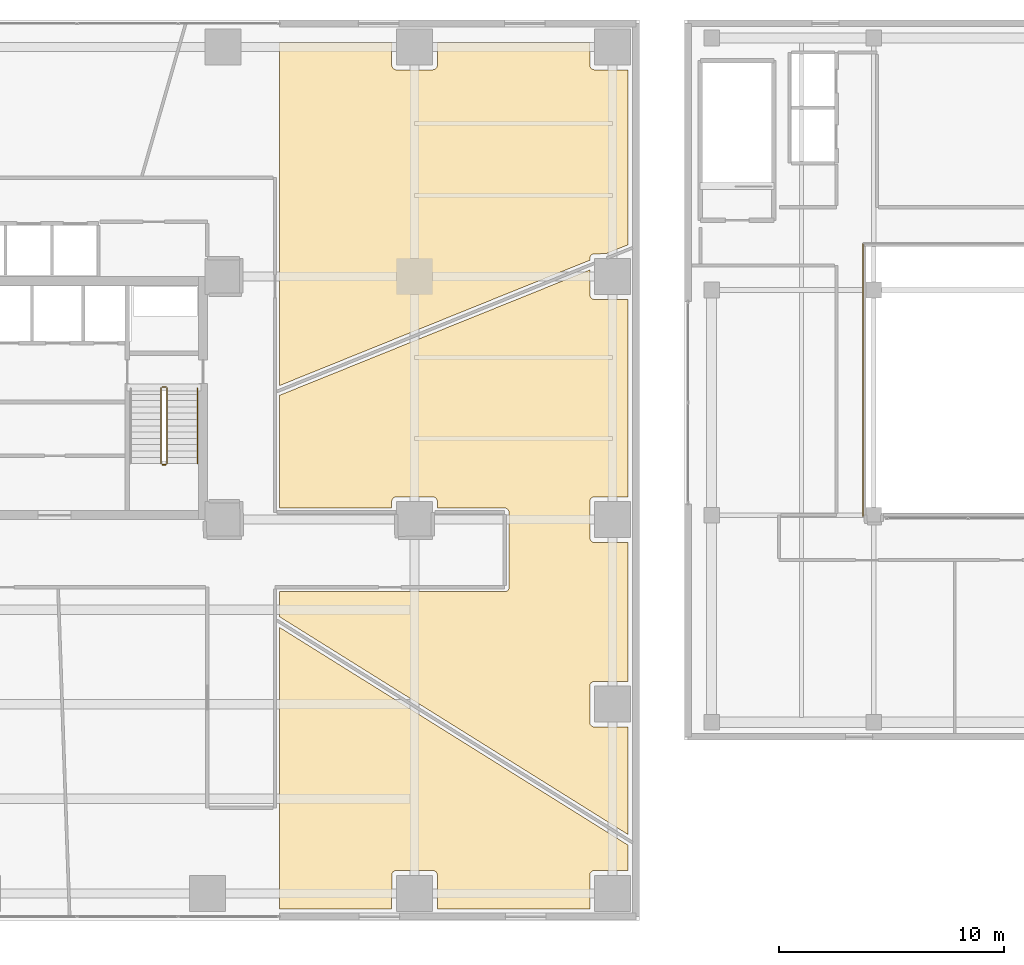
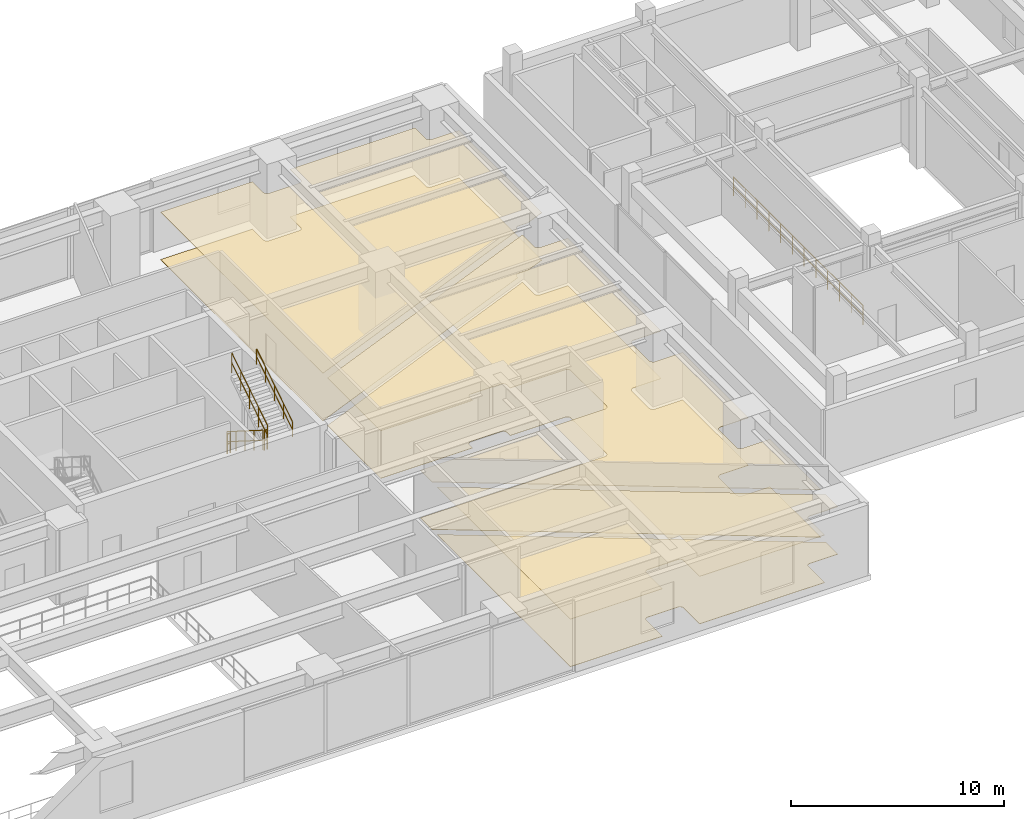
# One storey, part 24 of 25: 6 coverings, 6 railings.
"""IFC4 building model written with IfcOpenShell, lengths in metres."""

from ifc_helpers import new_model, si_unit, direction, frame, origin, origin_2d, place, context, subcontext, project, spatial, polyline, circle, outline, extrude, material, layer, layer_set, type_object, element, save


model = new_model("IFC4")

# Units and contexts
model_context = context("Model", 3, precision=1e-05, world=origin(), true_north=direction((0.0, 1.0)))
body_context = subcontext(model_context, "Body", "Model", "MODEL_VIEW")
ifc_project = project(units=[si_unit("LENGTHUNIT", "METRE"), si_unit("AREAUNIT", "SQUARE_METRE"), si_unit("VOLUMEUNIT", "CUBIC_METRE"), si_unit("PLANEANGLEUNIT", "RADIAN"), si_unit("MASSUNIT", "GRAM", prefix="KILO")], contexts=[model_context])

# Site, building, storey
site_placement = place(None, origin())
site = spatial("IfcSite", under=ifc_project, at=site_placement, CompositionType="ELEMENT")
building_placement = place(site_placement, origin())
building = spatial("IfcBuilding", under=site, at=building_placement, Name="Talar Marvaseh", CompositionType="ELEMENT")
storey_placement = place(building_placement, frame((0.0, 0.0, 14.39990234375)))
storey = spatial("IfcBuildingStorey", under=building, at=storey_placement, Name="L03", CompositionType="ELEMENT", Elevation=14.39990234375)

# Railings
ifc_material_1 = material(Name="Stainless Steel Grade 316", Category="steel")
railing_type_1 = type_object("IfcRailingType", Name="Brushed Stainless Wall Pitch Handrail 900", PredefinedType="HANDRAIL", material=ifc_material_1)
railing_1_placement = place(storey_placement, frame((32.35009765625, 28.2900390625, 2.47705078125)))
element("IfcRailing", 1, at=railing_1_placement, inside=storey, type_object=railing_type_1, Name="L03 ST-2 stair handrail 2", PredefinedType="HANDRAIL", context=body_context, shape_type="SweptSolid", body=[
    extrude(circle(Radius=0.02392578125, at=origin_2d()), frame((0.0, 0.0, 0.8759765625), z_axis=(0.0, 0.845372108799, 0.534177870812), x_axis=(-1.0, 0.0, 0.0)), (0.0, 0.0, 1.0), 3.974365234375),
    extrude(circle(Radius=0.02392578125, at=origin_2d()), frame((0.0, 0.0, 0.42578125), z_axis=(0.0, 0.845372108799, 0.534177870812), x_axis=(-1.0, 0.0, 0.0)), (0.0, 0.0, 1.0), 3.974365234375),
    extrude(circle(Radius=0.02099609375, at=origin_2d()), origin(), (0.0, 0.0, 1.0), 0.851806640625),
    extrude(circle(Radius=0.02099609375, at=origin_2d()), frame((0.0, 0.83984375, 0.53076171875)), (0.0, 0.0, 1.0), 0.851806640625),
    extrude(circle(Radius=0.02099609375, at=origin_2d()), frame((0.0, 1.679931640625, 1.0615234375)), (0.0, 0.0, 1.0), 0.851806640625),
    extrude(circle(Radius=0.02099609375, at=origin_2d()), frame((0.0, 2.52001953125, 1.59228515625)), (0.0, 0.0, 1.0), 0.851806640625),
    extrude(circle(Radius=0.02099609375, at=origin_2d()), frame((0.0, 3.35986328125, 2.123046875)), (0.0, 0.0, 1.0), 0.851806640625),
])
ifc_material_2 = material(Name="Tempered Clear Glass", Category="glass")
railing_type_2 = type_object("IfcRailingType", Name="Interior Atrium Edge Balustrade 1120", PredefinedType="BALUSTRADE", material=ifc_material_2)
railing_2_placement = place(storey_placement, frame((61.919921875, 38.080078125, 0.0)))
element("IfcRailing", 2, at=railing_2_placement, inside=storey, type_object=railing_type_2, Name="L03 Market Courtyard Void Balustrade 4", PredefinedType="BALUSTRADE", context=body_context, shape_type="SweptSolid", body=[
    extrude(circle(Radius=0.02392578125, at=origin_2d()), frame((0.0, 0.0, 1.09619140625), z_axis=(0.0, -1.0, 0.0), x_axis=(1.0, 0.0, 0.0)), (0.0, 0.0, 1.0), 12.16015625),
    extrude(circle(Radius=0.02392578125, at=origin_2d()), frame((0.0, 0.0, 0.5361328125), z_axis=(0.0, -1.0, 0.0), x_axis=(1.0, 0.0, 0.0)), (0.0, 0.0, 1.0), 12.16015625),
    extrude(circle(Radius=0.02099609375, at=origin_2d()), origin(), (0.0, 0.0, 1.0), 1.072021484375),
    extrude(circle(Radius=0.02099609375, at=origin_2d()), frame((0.0, -1.10546875, 0.0)), (0.0, 0.0, 1.0), 1.072021484375),
    extrude(circle(Radius=0.02099609375, at=origin_2d()), frame((0.0, -2.2109375, 0.0)), (0.0, 0.0, 1.0), 1.072021484375),
    extrude(circle(Radius=0.02099609375, at=origin_2d()), frame((0.0, -3.31640625, 0.0)), (0.0, 0.0, 1.0), 1.072021484375),
    extrude(circle(Radius=0.02099609375, at=origin_2d()), frame((0.0, -4.421875, 0.0)), (0.0, 0.0, 1.0), 1.072021484375),
    extrude(circle(Radius=0.02099609375, at=origin_2d()), frame((0.0, -5.52734375, 0.0)), (0.0, 0.0, 1.0), 1.072021484375),
    extrude(circle(Radius=0.02099609375, at=origin_2d()), frame((0.0, -6.6328125, 0.0)), (0.0, 0.0, 1.0), 1.072021484375),
    extrude(circle(Radius=0.02099609375, at=origin_2d()), frame((0.0, -7.73828125, 0.0)), (0.0, 0.0, 1.0), 1.072021484375),
    extrude(circle(Radius=0.02099609375, at=origin_2d()), frame((0.0, -8.84375, 0.0)), (0.0, 0.0, 1.0), 1.072021484375),
    extrude(circle(Radius=0.02099609375, at=origin_2d()), frame((0.0, -9.94921875, 0.0)), (0.0, 0.0, 1.0), 1.072021484375),
    extrude(circle(Radius=0.02099609375, at=origin_2d()), frame((0.0, -11.0546875, 0.0)), (0.0, 0.0, 1.0), 1.072021484375),
    extrude(circle(Radius=0.02099609375, at=origin_2d()), frame((0.0, -12.16015625, 0.0)), (0.0, 0.0, 1.0), 1.072021484375),
])
railing_type_3 = type_object("IfcRailingType", Name="Painted Steel Core Stair Well Guardrail 1150", PredefinedType="GUARDRAIL", material=ifc_material_1)
railing_3_placement = place(storey_placement, frame((30.739990234375, 31.64990234375, 0.177001953125)))
element("IfcRailing", 3, at=railing_3_placement, inside=storey, type_object=railing_type_3, Name="L03 ST-2 stair guard 1", PredefinedType="GUARDRAIL", context=body_context, shape_type="SweptSolid", body=[
    extrude(circle(Radius=0.02392578125, at=origin_2d()), frame((0.0, 0.0, 1.1259765625), z_axis=(0.0, -0.845372108799, 0.534177870812), x_axis=(1.0, 0.0, 0.0)), (0.0, 0.0, 1.0), 3.974365234375),
    extrude(circle(Radius=0.02392578125, at=origin_2d()), frame((0.0, 0.0, 0.55078125), z_axis=(0.0, -0.845372108799, 0.534177870812), x_axis=(1.0, 0.0, 0.0)), (0.0, 0.0, 1.0), 3.974365234375),
    extrude(circle(Radius=0.02099609375, at=origin_2d()), origin(), (0.0, 0.0, 1.0), 1.101806640625),
    extrude(circle(Radius=0.02099609375, at=origin_2d()), frame((0.0, -0.83984375, 0.53076171875)), (0.0, 0.0, 1.0), 1.101806640625),
    extrude(circle(Radius=0.02099609375, at=origin_2d()), frame((0.0, -1.679931640625, 1.0615234375)), (0.0, 0.0, 1.0), 1.101806640625),
    extrude(circle(Radius=0.02099609375, at=origin_2d()), frame((0.0, -2.52001953125, 1.59228515625)), (0.0, 0.0, 1.0), 1.101806640625),
    extrude(circle(Radius=0.02099609375, at=origin_2d()), frame((0.0, -3.35986328125, 2.123046875)), (0.0, 0.0, 1.0), 1.101806640625),
])
railing_4_placement = place(storey_placement, frame((30.7900390625, 28.239990234375, 2.300048828125)))
element("IfcRailing", 4, at=railing_4_placement, inside=storey, type_object=railing_type_3, Name="L03 ST-2 stair guard 2", PredefinedType="GUARDRAIL", context=body_context, shape_type="SweptSolid", body=[
    extrude(circle(Radius=0.02392578125, at=origin_2d()), frame((0.0, 0.0, 1.1259765625), z_axis=(1.0, 0.0, 0.0), x_axis=(0.0, 1.0, 0.0)), (0.0, 0.0, 1.0), 0.159912109375),
    extrude(circle(Radius=0.02392578125, at=origin_2d()), frame((0.0, 0.0, 0.55078125), z_axis=(1.0, 0.0, 0.0), x_axis=(0.0, 1.0, 0.0)), (0.0, 0.0, 1.0), 0.159912109375),
    extrude(circle(Radius=0.02099609375, at=origin_2d()), origin(), (0.0, 0.0, 1.0), 1.101806640625),
    extrude(circle(Radius=0.02099609375, at=origin_2d()), frame((0.159912109375, 0.0, 0.0)), (0.0, 0.0, 1.0), 1.101806640625),
])
railing_5_placement = place(storey_placement, frame((31.0, 28.2900390625, 2.47705078125)))
element("IfcRailing", 5, at=railing_5_placement, inside=storey, type_object=railing_type_3, Name="L03 ST-2 stair guard 3", PredefinedType="GUARDRAIL", context=body_context, shape_type="SweptSolid", body=[
    extrude(circle(Radius=0.02392578125, at=origin_2d()), frame((0.0, 0.0, 1.1259765625), z_axis=(0.0, 0.845372108799, 0.534177870812), x_axis=(-1.0, 0.0, 0.0)), (0.0, 0.0, 1.0), 3.974365234375),
    extrude(circle(Radius=0.02392578125, at=origin_2d()), frame((0.0, 0.0, 0.55078125), z_axis=(0.0, 0.845372108799, 0.534177870812), x_axis=(-1.0, 0.0, 0.0)), (0.0, 0.0, 1.0), 3.974365234375),
    extrude(circle(Radius=0.02099609375, at=origin_2d()), origin(), (0.0, 0.0, 1.0), 1.101806640625),
    extrude(circle(Radius=0.02099609375, at=origin_2d()), frame((0.0, 0.83984375, 0.53076171875)), (0.0, 0.0, 1.0), 1.101806640625),
    extrude(circle(Radius=0.02099609375, at=origin_2d()), frame((0.0, 1.679931640625, 1.0615234375)), (0.0, 0.0, 1.0), 1.101806640625),
    extrude(circle(Radius=0.02099609375, at=origin_2d()), frame((0.0, 2.52001953125, 1.59228515625)), (0.0, 0.0, 1.0), 1.101806640625),
    extrude(circle(Radius=0.02099609375, at=origin_2d()), frame((0.0, 3.35986328125, 2.123046875)), (0.0, 0.0, 1.0), 1.101806640625),
])
railing_6_placement = place(storey_placement, frame((30.7900390625, 31.699951171875, 0.0)))
element("IfcRailing", 6, at=railing_6_placement, inside=storey, type_object=railing_type_3, Name="L03 ST-2 stair guard 4", PredefinedType="GUARDRAIL", context=body_context, shape_type="SweptSolid", body=[
    extrude(circle(Radius=0.02392578125, at=origin_2d()), frame((0.0, 0.0, 1.1259765625), z_axis=(1.0, 0.0, 0.0), x_axis=(0.0, 1.0, 0.0)), (0.0, 0.0, 1.0), 0.159912109375),
    extrude(circle(Radius=0.02392578125, at=origin_2d()), frame((0.0, 0.0, 0.55078125), z_axis=(1.0, 0.0, 0.0), x_axis=(0.0, 1.0, 0.0)), (0.0, 0.0, 1.0), 0.159912109375),
    extrude(circle(Radius=0.02099609375, at=origin_2d()), origin(), (0.0, 0.0, 1.0), 1.101806640625),
    extrude(circle(Radius=0.02099609375, at=origin_2d()), frame((0.159912109375, 0.0, 0.0)), (0.0, 0.0, 1.0), 1.101806640625),
])

# Coverings
ifc_material_3 = material(Name="Mineral Fibre Acoustic Ceiling")
ifc_layer_1 = layer(ifc_material_3, 0.02490234375)
ifc_layer_set_1 = layer_set([ifc_layer_1], Name="Mineral Fibre Acoustic Ceiling")
covering_type_1 = type_object("IfcCoveringType", Name="Perforated Mineral Fibre Acoustic Suspended Ceiling", PredefinedType="CEILING", material=ifc_layer_set_1)
covering_1_placement = place(storey_placement, frame((0.0, 0.0, 2.72021484375)))
element("IfcCovering", 7, at=covering_1_placement, inside=storey, type_object=covering_type_1, Name="L03 Architectural Models Gallery Acoustic Ceiling", PredefinedType="CEILING", context=body_context, shape_type="SweptSolid", body=[
    extrude(outline(polyline([(51.489990234375, 11.336181640625), (51.489990234375, 10.210693359375), (49.989501953125, 10.210693359375), (49.9697265625, 10.209716796875), (49.950439453125, 10.206787109375), (49.931396484375, 10.201904296875), (49.912841796875, 10.1953125), (49.89501953125, 10.18701171875), (49.87841796875, 10.177001953125), (49.862548828125, 10.165283203125), (49.847900390625, 10.152099609375), (49.834716796875, 10.137451171875), (49.822998046875, 10.12158203125), (49.81298828125, 10.10498046875), (49.8046875, 10.087158203125), (49.798095703125, 10.068603515625), (49.793212890625, 10.049560546875), (49.790283203125, 10.0302734375), (49.789306640625, 10.010498046875), (49.789306640625, 8.510009765625), (43.010498046875, 8.510009765625), (43.010498046875, 10.010498046875), (43.009521484375, 10.0302734375), (43.0068359375, 10.049560546875), (43.001953125, 10.068603515625), (42.995361328125, 10.087158203125), (42.987060546875, 10.10498046875), (42.976806640625, 10.12158203125), (42.965087890625, 10.137451171875), (42.951904296875, 10.152099609375), (42.9375, 10.165283203125), (42.921630859375, 10.177001953125), (42.90478515625, 10.18701171875), (42.88720703125, 10.1953125), (42.86865234375, 10.201904296875), (42.849609375, 10.206787109375), (42.830078125, 10.209716796875), (42.810546875, 10.210693359375), (41.189453125, 10.210693359375), (41.169921875, 10.209716796875), (41.150390625, 10.206787109375), (41.13134765625, 10.201904296875), (41.113037109375, 10.1953125), (41.09521484375, 10.18701171875), (41.07861328125, 10.177001953125), (41.062744140625, 10.165283203125), (41.048095703125, 10.152099609375), (41.034912109375, 10.1376953125), (41.023193359375, 10.1220703125), (41.01318359375, 10.105224609375), (41.0048828125, 10.08740234375), (40.998046875, 10.069091796875), (40.993408203125, 10.050048828125), (40.990478515625, 10.03076171875), (40.989501953125, 10.010986328125), (40.9853515625, 8.510009765625), (36.0, 8.510009765625), (36.0, 13.0), (36.0, 21.015380859375), (51.489990234375, 11.336181640625)])), origin(), (0.0, 0.0, 1.0), 0.02490234375),
])
covering_2_placement = place(storey_placement, frame((0.0, 0.0, 2.72021484375)))
element("IfcCovering", 8, at=covering_2_placement, inside=storey, type_object=covering_type_1, Name="L03 Projection and Sound Control Room Acoustic Ceiling", PredefinedType="CEILING", context=body_context, shape_type="SweptSolid", body=[
    extrude(outline(polyline([(46.0, 22.60009765625), (46.01953125, 22.60107421875), (46.0390625, 22.603759765625), (46.05810546875, 22.608642578125), (46.076416015625, 22.615234375), (46.09423828125, 22.62353515625), (46.111083984375, 22.6337890625), (46.126953125, 22.6455078125), (46.141357421875, 22.65869140625), (46.154541015625, 22.673095703125), (46.166259765625, 22.68896484375), (46.176513671875, 22.705810546875), (46.184814453125, 22.723388671875), (46.19140625, 22.741943359375), (46.1962890625, 22.760986328125), (46.198974609375, 22.780517578125), (46.199951171875, 22.800048828125), (46.199951171875, 26.1201171875), (46.198974609375, 26.1396484375), (46.1962890625, 26.158935546875), (46.19140625, 26.177978515625), (46.184814453125, 26.196533203125), (46.176513671875, 26.21435546875), (46.166259765625, 26.231201171875), (46.154541015625, 26.246826171875), (46.141357421875, 26.261474609375), (46.126953125, 26.274658203125), (46.111083984375, 26.286376953125), (46.09423828125, 26.29638671875), (46.076416015625, 26.3046875), (46.05810546875, 26.311279296875), (46.0390625, 26.316162109375), (46.01953125, 26.319091796875), (46.0, 26.320068359375), (43.014892578125, 26.320068359375), (43.014892578125, 26.60009765625), (43.013916015625, 26.61962890625), (43.01123046875, 26.638916015625), (43.00634765625, 26.658203125), (42.999755859375, 26.676513671875), (42.991455078125, 26.6943359375), (42.981201171875, 26.711181640625), (42.969482421875, 26.726806640625), (42.956298828125, 26.741455078125), (42.94140625, 26.75634765625), (42.927001953125, 26.76953125), (42.9111328125, 26.78125), (42.894287109375, 26.79150390625), (42.87646484375, 26.7998046875), (42.85791015625, 26.806396484375), (42.839111328125, 26.811279296875), (42.819580078125, 26.81396484375), (42.7998046875, 26.81494140625), (41.195556640625, 26.814453125), (41.1767578125, 26.8134765625), (41.158203125, 26.810791015625), (41.14013671875, 26.806396484375), (41.122314453125, 26.800537109375), (41.105224609375, 26.79296875), (41.089111328125, 26.78369140625), (41.07373046875, 26.77294921875), (41.059326171875, 26.760986328125), (41.04638671875, 26.74755859375), (41.034423828125, 26.73291015625), (41.02392578125, 26.718505859375), (41.01220703125, 26.700927734375), (41.002685546875, 26.68212890625), (40.9951171875, 26.662353515625), (40.989501953125, 26.64208984375), (40.986083984375, 26.62109375), (40.985107421875, 26.60009765625), (40.985107421875, 26.320068359375), (36.0, 26.320068359375), (36.0, 31.32470703125), (49.784912109375, 36.89404296875), (49.784912109375, 35.800048828125), (49.785888671875, 35.7822265625), (49.7880859375, 35.764892578125), (49.7919921875, 35.74755859375), (49.79736328125, 35.730712890625), (49.80419921875, 35.71435546875), (49.809814453125, 35.70263671875), (49.819580078125, 35.684814453125), (49.8310546875, 35.667724609375), (49.84423828125, 35.652099609375), (49.85888671875, 35.6376953125), (49.875, 35.625244140625), (49.89208984375, 35.6142578125), (49.91064453125, 35.60498046875), (49.9296875, 35.597900390625), (49.949462890625, 35.592529296875), (49.9697265625, 35.589599609375), (49.990234375, 35.58837890625), (51.489990234375, 35.586181640625), (51.489990234375, 26.810546875), (49.989501953125, 26.810546875), (49.9697265625, 26.8095703125), (49.950439453125, 26.806884765625), (49.931396484375, 26.802001953125), (49.9130859375, 26.79541015625), (49.895263671875, 26.787109375), (49.87841796875, 26.777099609375), (49.86279296875, 26.765380859375), (49.84814453125, 26.752197265625), (49.8349609375, 26.73779296875), (49.8232421875, 26.721923828125), (49.813232421875, 26.705078125), (49.8046875, 26.6875), (49.798095703125, 26.669189453125), (49.793212890625, 26.650146484375), (49.790283203125, 26.630615234375), (49.789306640625, 26.611083984375), (49.78515625, 24.9990234375), (49.785888671875, 24.98046875), (49.78857421875, 24.9619140625), (49.792724609375, 24.94384765625), (49.798583984375, 24.92626953125), (49.80615234375, 24.9091796875), (49.815185546875, 24.89306640625), (49.82568359375, 24.877685546875), (49.837646484375, 24.86328125), (49.850830078125, 24.850341796875), (49.86572265625, 24.8369140625), (49.8798828125, 24.824951171875), (49.895263671875, 24.814697265625), (49.911376953125, 24.8056640625), (49.92822265625, 24.79833984375), (49.94580078125, 24.79248046875), (49.9638671875, 24.788330078125), (49.982177734375, 24.785888671875), (50.00048828125, 24.784912109375), (51.489990234375, 24.7890625), (51.489990234375, 18.610595703125), (49.989501953125, 18.610595703125), (49.9697265625, 18.609619140625), (49.950439453125, 18.606689453125), (49.931396484375, 18.60205078125), (49.9130859375, 18.595458984375), (49.895263671875, 18.587158203125), (49.87841796875, 18.576904296875), (49.86279296875, 18.5654296875), (49.84814453125, 18.55224609375), (49.8349609375, 18.53759765625), (49.8232421875, 18.52197265625), (49.813232421875, 18.505126953125), (49.8046875, 18.487548828125), (49.798095703125, 18.468994140625), (49.793212890625, 18.4501953125), (49.790283203125, 18.4306640625), (49.789306640625, 18.4111328125), (49.78515625, 16.799072265625), (49.785888671875, 16.780517578125), (49.78857421875, 16.761962890625), (49.792724609375, 16.743896484375), (49.798583984375, 16.726318359375), (49.80615234375, 16.709228515625), (49.815185546875, 16.693115234375), (49.82568359375, 16.677734375), (49.837646484375, 16.663330078125), (49.850830078125, 16.650390625), (49.86572265625, 16.63671875), (49.8798828125, 16.625), (49.895263671875, 16.614501953125), (49.911376953125, 16.605712890625), (49.92822265625, 16.598388671875), (49.94580078125, 16.592529296875), (49.9638671875, 16.58837890625), (49.982177734375, 16.585693359375), (50.00048828125, 16.5849609375), (51.489990234375, 16.589111328125), (51.489990234375, 11.807861328125), (36.0, 21.4873046875), (36.0, 22.60009765625), (46.0, 22.60009765625)])), origin(), (0.0, 0.0, 1.0), 0.02490234375),
])
covering_3_placement = place(storey_placement, frame((0.0, 0.0, 2.72021484375)))
element("IfcCovering", 9, at=covering_3_placement, inside=storey, type_object=covering_type_1, Name="L03 Conservation Framing Workshop Acoustic Ceiling", PredefinedType="CEILING", context=body_context, shape_type="SweptSolid", body=[
    extrude(outline(polyline([(40.98583984375, 45.98046875), (40.988525390625, 45.9619140625), (40.99267578125, 45.94384765625), (40.99853515625, 45.92626953125), (41.006103515625, 45.9091796875), (41.01513671875, 45.89306640625), (41.025634765625, 45.877685546875), (41.03759765625, 45.86328125), (41.05078125, 45.850341796875), (41.065673828125, 45.8369140625), (41.080078125, 45.824951171875), (41.09521484375, 45.814697265625), (41.111328125, 45.8056640625), (41.12841796875, 45.79833984375), (41.145751953125, 45.79248046875), (41.163818359375, 45.788330078125), (41.18212890625, 45.785888671875), (41.200439453125, 45.784912109375), (42.81103515625, 45.789306640625), (42.830810546875, 45.790283203125), (42.85009765625, 45.793212890625), (42.869140625, 45.798095703125), (42.887451171875, 45.8046875), (42.9052734375, 45.813232421875), (42.922119140625, 45.8232421875), (42.937744140625, 45.8349609375), (42.9521484375, 45.84814453125), (42.96533203125, 45.86279296875), (42.97705078125, 45.87841796875), (42.987060546875, 45.895263671875), (42.995361328125, 45.9130859375), (43.001953125, 45.931396484375), (43.0068359375, 45.950439453125), (43.009521484375, 45.9697265625), (43.010498046875, 45.989501953125), (43.010498046875, 47.0), (49.789306640625, 47.0), (49.789306640625, 45.989501953125), (49.790283203125, 45.9697265625), (49.793212890625, 45.950439453125), (49.798095703125, 45.931396484375), (49.8046875, 45.9130859375), (49.81298828125, 45.895263671875), (49.822998046875, 45.87841796875), (49.834716796875, 45.86279296875), (49.847900390625, 45.84814453125), (49.8623046875, 45.8349609375), (49.8779296875, 45.8232421875), (49.894775390625, 45.813232421875), (49.91259765625, 45.8046875), (49.930908203125, 45.798095703125), (49.949951171875, 45.793212890625), (49.96923828125, 45.790283203125), (49.989013671875, 45.789306640625), (51.489990234375, 45.785400390625), (51.489990234375, 38.014404296875), (50.50146484375, 37.614990234375), (49.993896484375, 37.614013671875), (49.974365234375, 37.61279296875), (49.955078125, 37.610107421875), (49.93603515625, 37.605224609375), (49.91748046875, 37.5986328125), (49.89990234375, 37.590087890625), (49.883056640625, 37.580078125), (49.867431640625, 37.568603515625), (49.852783203125, 37.555419921875), (49.839599609375, 37.540771484375), (49.828125, 37.525146484375), (49.81884765625, 37.51123046875), (49.80859375, 37.494384765625), (49.80029296875, 37.4765625), (49.793701171875, 37.4580078125), (49.788818359375, 37.439208984375), (49.785888671875, 37.419677734375), (49.784912109375, 37.39990234375), (49.784912109375, 37.325439453125), (36.0, 31.756103515625), (36.0, 41.0), (36.0, 47.0), (40.98779296875, 47.0), (40.985107421875, 45.9990234375), (40.98583984375, 45.98046875)])), origin(), (0.0, 0.0, 1.0), 0.02490234375),
])
ifc_material_4 = material(Name="Porcelain Stoneware Tile", Category="masonry")
ifc_layer_2 = layer(ifc_material_4, 0.02001953125)
ifc_layer_set_2 = layer_set([ifc_layer_2], Name="Porcelain Stoneware Tile")
covering_type_2 = type_object("IfcCoveringType", Name="Polished Porcelain Stoneware Gallery Flooring", PredefinedType="FLOORING", material=ifc_layer_set_2)
covering_4_placement = place(storey_placement, origin())
element("IfcCovering", 10, at=covering_4_placement, inside=storey, type_object=covering_type_2, Name="L03 Architectural Models Gallery Flooring", PredefinedType="FLOORING", context=body_context, shape_type="SweptSolid", body=[
    extrude(outline(polyline([(51.489990234375, 11.336181640625), (51.489990234375, 10.210693359375), (49.989501953125, 10.210693359375), (49.9697265625, 10.209716796875), (49.950439453125, 10.206787109375), (49.931396484375, 10.201904296875), (49.912841796875, 10.1953125), (49.89501953125, 10.18701171875), (49.87841796875, 10.177001953125), (49.862548828125, 10.165283203125), (49.847900390625, 10.152099609375), (49.834716796875, 10.137451171875), (49.822998046875, 10.12158203125), (49.81298828125, 10.10498046875), (49.8046875, 10.087158203125), (49.798095703125, 10.068603515625), (49.793212890625, 10.049560546875), (49.790283203125, 10.0302734375), (49.789306640625, 10.010498046875), (49.789306640625, 8.510009765625), (43.010498046875, 8.510009765625), (43.010498046875, 10.010498046875), (43.009521484375, 10.0302734375), (43.0068359375, 10.049560546875), (43.001953125, 10.068603515625), (42.995361328125, 10.087158203125), (42.987060546875, 10.10498046875), (42.976806640625, 10.12158203125), (42.965087890625, 10.137451171875), (42.951904296875, 10.152099609375), (42.9375, 10.165283203125), (42.921630859375, 10.177001953125), (42.90478515625, 10.18701171875), (42.88720703125, 10.1953125), (42.86865234375, 10.201904296875), (42.849609375, 10.206787109375), (42.830078125, 10.209716796875), (42.810546875, 10.210693359375), (41.189453125, 10.210693359375), (41.169921875, 10.209716796875), (41.150390625, 10.206787109375), (41.13134765625, 10.201904296875), (41.113037109375, 10.1953125), (41.09521484375, 10.18701171875), (41.07861328125, 10.177001953125), (41.062744140625, 10.165283203125), (41.048095703125, 10.152099609375), (41.034912109375, 10.1376953125), (41.023193359375, 10.1220703125), (41.01318359375, 10.105224609375), (41.0048828125, 10.08740234375), (40.998046875, 10.069091796875), (40.993408203125, 10.050048828125), (40.990478515625, 10.03076171875), (40.989501953125, 10.010986328125), (40.9853515625, 8.510009765625), (36.0, 8.510009765625), (36.0, 13.0), (36.0, 21.015380859375), (51.489990234375, 11.336181640625)])), origin(), (0.0, 0.0, 1.0), 0.02001953125),
])
covering_5_placement = place(storey_placement, origin())
element("IfcCovering", 11, at=covering_5_placement, inside=storey, type_object=covering_type_2, Name="L03 Projection and Sound Control Room Flooring", PredefinedType="FLOORING", context=body_context, shape_type="SweptSolid", body=[
    extrude(outline(polyline([(46.0, 22.60009765625), (46.01953125, 22.60107421875), (46.0390625, 22.603759765625), (46.05810546875, 22.608642578125), (46.076416015625, 22.615234375), (46.09423828125, 22.62353515625), (46.111083984375, 22.6337890625), (46.126953125, 22.6455078125), (46.141357421875, 22.65869140625), (46.154541015625, 22.673095703125), (46.166259765625, 22.68896484375), (46.176513671875, 22.705810546875), (46.184814453125, 22.723388671875), (46.19140625, 22.741943359375), (46.1962890625, 22.760986328125), (46.198974609375, 22.780517578125), (46.199951171875, 22.800048828125), (46.199951171875, 26.1201171875), (46.198974609375, 26.1396484375), (46.1962890625, 26.158935546875), (46.19140625, 26.177978515625), (46.184814453125, 26.196533203125), (46.176513671875, 26.21435546875), (46.166259765625, 26.231201171875), (46.154541015625, 26.246826171875), (46.141357421875, 26.261474609375), (46.126953125, 26.274658203125), (46.111083984375, 26.286376953125), (46.09423828125, 26.29638671875), (46.076416015625, 26.3046875), (46.05810546875, 26.311279296875), (46.0390625, 26.316162109375), (46.01953125, 26.319091796875), (46.0, 26.320068359375), (43.014892578125, 26.320068359375), (43.014892578125, 26.60009765625), (43.013916015625, 26.61962890625), (43.01123046875, 26.638916015625), (43.00634765625, 26.658203125), (42.999755859375, 26.676513671875), (42.991455078125, 26.6943359375), (42.981201171875, 26.711181640625), (42.969482421875, 26.726806640625), (42.956298828125, 26.741455078125), (42.94140625, 26.75634765625), (42.927001953125, 26.76953125), (42.9111328125, 26.78125), (42.894287109375, 26.79150390625), (42.87646484375, 26.7998046875), (42.85791015625, 26.806396484375), (42.839111328125, 26.811279296875), (42.819580078125, 26.81396484375), (42.7998046875, 26.81494140625), (41.195556640625, 26.814453125), (41.1767578125, 26.8134765625), (41.158203125, 26.810791015625), (41.14013671875, 26.806396484375), (41.122314453125, 26.800537109375), (41.105224609375, 26.79296875), (41.089111328125, 26.78369140625), (41.07373046875, 26.77294921875), (41.059326171875, 26.760986328125), (41.04638671875, 26.74755859375), (41.034423828125, 26.73291015625), (41.02392578125, 26.718505859375), (41.01220703125, 26.700927734375), (41.002685546875, 26.68212890625), (40.9951171875, 26.662353515625), (40.989501953125, 26.64208984375), (40.986083984375, 26.62109375), (40.985107421875, 26.60009765625), (40.985107421875, 26.320068359375), (36.0, 26.320068359375), (36.0, 31.32470703125), (49.784912109375, 36.89404296875), (49.784912109375, 35.800048828125), (49.785888671875, 35.7822265625), (49.7880859375, 35.764892578125), (49.7919921875, 35.74755859375), (49.79736328125, 35.730712890625), (49.80419921875, 35.71435546875), (49.809814453125, 35.70263671875), (49.819580078125, 35.684814453125), (49.8310546875, 35.667724609375), (49.84423828125, 35.652099609375), (49.85888671875, 35.6376953125), (49.875, 35.625244140625), (49.89208984375, 35.6142578125), (49.91064453125, 35.60498046875), (49.9296875, 35.597900390625), (49.949462890625, 35.592529296875), (49.9697265625, 35.589599609375), (49.990234375, 35.58837890625), (51.489990234375, 35.586181640625), (51.489990234375, 26.810546875), (49.989501953125, 26.810546875), (49.9697265625, 26.8095703125), (49.950439453125, 26.806884765625), (49.931396484375, 26.802001953125), (49.9130859375, 26.79541015625), (49.895263671875, 26.787109375), (49.87841796875, 26.777099609375), (49.86279296875, 26.765380859375), (49.84814453125, 26.752197265625), (49.8349609375, 26.73779296875), (49.8232421875, 26.721923828125), (49.813232421875, 26.705078125), (49.8046875, 26.6875), (49.798095703125, 26.669189453125), (49.793212890625, 26.650146484375), (49.790283203125, 26.630615234375), (49.789306640625, 26.611083984375), (49.78515625, 24.9990234375), (49.785888671875, 24.98046875), (49.78857421875, 24.9619140625), (49.792724609375, 24.94384765625), (49.798583984375, 24.92626953125), (49.80615234375, 24.9091796875), (49.815185546875, 24.89306640625), (49.82568359375, 24.877685546875), (49.837646484375, 24.86328125), (49.850830078125, 24.850341796875), (49.86572265625, 24.8369140625), (49.8798828125, 24.824951171875), (49.895263671875, 24.814697265625), (49.911376953125, 24.8056640625), (49.92822265625, 24.79833984375), (49.94580078125, 24.79248046875), (49.9638671875, 24.788330078125), (49.982177734375, 24.785888671875), (50.00048828125, 24.784912109375), (51.489990234375, 24.7890625), (51.489990234375, 18.610595703125), (49.989501953125, 18.610595703125), (49.9697265625, 18.609619140625), (49.950439453125, 18.606689453125), (49.931396484375, 18.60205078125), (49.9130859375, 18.595458984375), (49.895263671875, 18.587158203125), (49.87841796875, 18.576904296875), (49.86279296875, 18.5654296875), (49.84814453125, 18.55224609375), (49.8349609375, 18.53759765625), (49.8232421875, 18.52197265625), (49.813232421875, 18.505126953125), (49.8046875, 18.487548828125), (49.798095703125, 18.468994140625), (49.793212890625, 18.4501953125), (49.790283203125, 18.4306640625), (49.789306640625, 18.4111328125), (49.78515625, 16.799072265625), (49.785888671875, 16.780517578125), (49.78857421875, 16.761962890625), (49.792724609375, 16.743896484375), (49.798583984375, 16.726318359375), (49.80615234375, 16.709228515625), (49.815185546875, 16.693115234375), (49.82568359375, 16.677734375), (49.837646484375, 16.663330078125), (49.850830078125, 16.650390625), (49.86572265625, 16.63671875), (49.8798828125, 16.625), (49.895263671875, 16.614501953125), (49.911376953125, 16.605712890625), (49.92822265625, 16.598388671875), (49.94580078125, 16.592529296875), (49.9638671875, 16.58837890625), (49.982177734375, 16.585693359375), (50.00048828125, 16.5849609375), (51.489990234375, 16.589111328125), (51.489990234375, 11.807861328125), (36.0, 21.4873046875), (36.0, 22.60009765625), (46.0, 22.60009765625)])), origin(), (0.0, 0.0, 1.0), 0.02001953125),
])
covering_6_placement = place(storey_placement, origin())
element("IfcCovering", 12, at=covering_6_placement, inside=storey, type_object=covering_type_2, Name="L03 Conservation Framing Workshop Flooring", PredefinedType="FLOORING", context=body_context, shape_type="SweptSolid", body=[
    extrude(outline(polyline([(40.98583984375, 45.98046875), (40.988525390625, 45.9619140625), (40.99267578125, 45.94384765625), (40.99853515625, 45.92626953125), (41.006103515625, 45.9091796875), (41.01513671875, 45.89306640625), (41.025634765625, 45.877685546875), (41.03759765625, 45.86328125), (41.05078125, 45.850341796875), (41.065673828125, 45.8369140625), (41.080078125, 45.824951171875), (41.09521484375, 45.814697265625), (41.111328125, 45.8056640625), (41.12841796875, 45.79833984375), (41.145751953125, 45.79248046875), (41.163818359375, 45.788330078125), (41.18212890625, 45.785888671875), (41.200439453125, 45.784912109375), (42.81103515625, 45.789306640625), (42.830810546875, 45.790283203125), (42.85009765625, 45.793212890625), (42.869140625, 45.798095703125), (42.887451171875, 45.8046875), (42.9052734375, 45.813232421875), (42.922119140625, 45.8232421875), (42.937744140625, 45.8349609375), (42.9521484375, 45.84814453125), (42.96533203125, 45.86279296875), (42.97705078125, 45.87841796875), (42.987060546875, 45.895263671875), (42.995361328125, 45.9130859375), (43.001953125, 45.931396484375), (43.0068359375, 45.950439453125), (43.009521484375, 45.9697265625), (43.010498046875, 45.989501953125), (43.010498046875, 47.0), (49.789306640625, 47.0), (49.789306640625, 45.989501953125), (49.790283203125, 45.9697265625), (49.793212890625, 45.950439453125), (49.798095703125, 45.931396484375), (49.8046875, 45.9130859375), (49.81298828125, 45.895263671875), (49.822998046875, 45.87841796875), (49.834716796875, 45.86279296875), (49.847900390625, 45.84814453125), (49.8623046875, 45.8349609375), (49.8779296875, 45.8232421875), (49.894775390625, 45.813232421875), (49.91259765625, 45.8046875), (49.930908203125, 45.798095703125), (49.949951171875, 45.793212890625), (49.96923828125, 45.790283203125), (49.989013671875, 45.789306640625), (51.489990234375, 45.785400390625), (51.489990234375, 38.014404296875), (50.50146484375, 37.614990234375), (49.993896484375, 37.614013671875), (49.974365234375, 37.61279296875), (49.955078125, 37.610107421875), (49.93603515625, 37.605224609375), (49.91748046875, 37.5986328125), (49.89990234375, 37.590087890625), (49.883056640625, 37.580078125), (49.867431640625, 37.568603515625), (49.852783203125, 37.555419921875), (49.839599609375, 37.540771484375), (49.828125, 37.525146484375), (49.81884765625, 37.51123046875), (49.80859375, 37.494384765625), (49.80029296875, 37.4765625), (49.793701171875, 37.4580078125), (49.788818359375, 37.439208984375), (49.785888671875, 37.419677734375), (49.784912109375, 37.39990234375), (49.784912109375, 37.325439453125), (36.0, 31.756103515625), (36.0, 41.0), (36.0, 47.0), (40.98779296875, 47.0), (40.985107421875, 45.9990234375), (40.98583984375, 45.98046875)])), origin(), (0.0, 0.0, 1.0), 0.02001953125),
])

save(model, "model.ifc")
